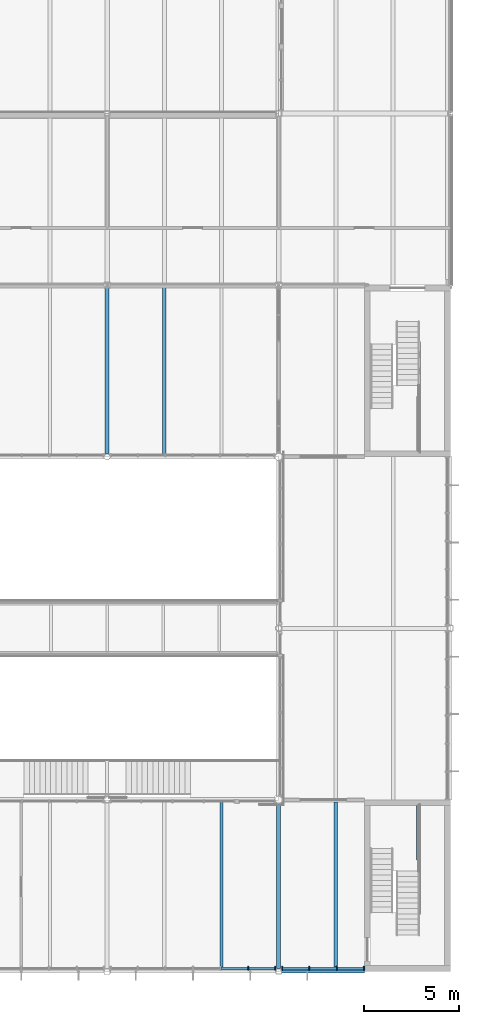
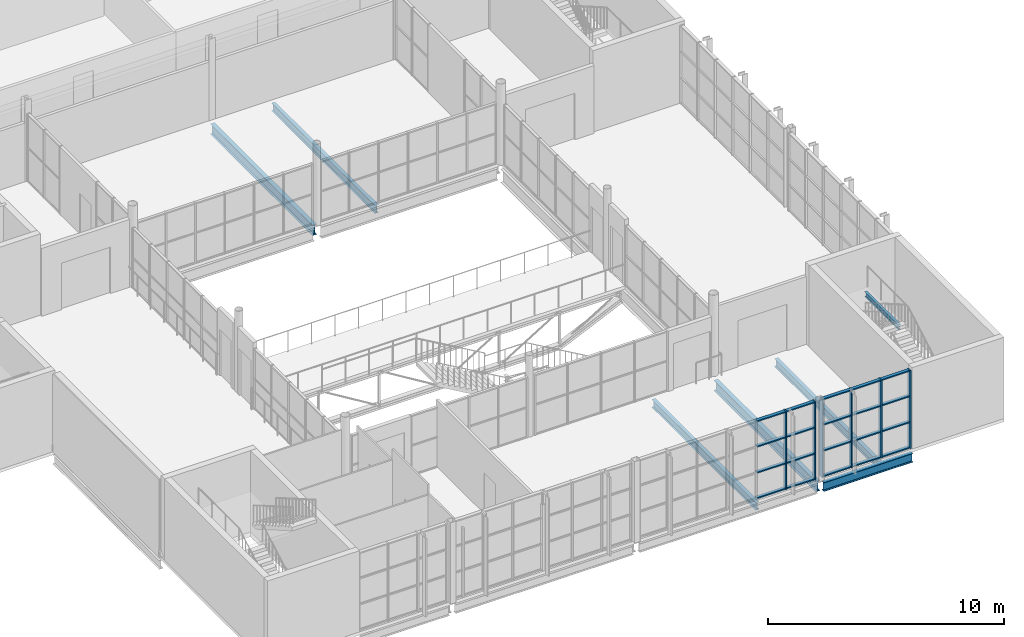
# One storey, part 24 of 61: 26 members, 7 beams, 2 elements without a shape of their own.
"""IFC4 building model written with IfcOpenShell, lengths in metres."""

from ifc_helpers import new_model, si_unit, direction, frame, origin, origin_2d, place, context, subcontext, project, spatial, rectangle, i_section, extrude, material, layer, layer_set, material_profile, profile_set, type_object, element, aggregate, save


model = new_model("IFC4")

# Units and contexts
model_context = context("Model", 3, precision=1e-05, world=origin(), true_north=direction((0.0, 1.0)))
body_context = subcontext(model_context, "Body", "Model", "MODEL_VIEW")
ifc_project = project(units=[si_unit("LENGTHUNIT", "METRE"), si_unit("AREAUNIT", "SQUARE_METRE"), si_unit("VOLUMEUNIT", "CUBIC_METRE"), si_unit("PLANEANGLEUNIT", "RADIAN"), si_unit("MASSUNIT", "GRAM", prefix="KILO")], contexts=[model_context])

# Site, building, storey
site_placement = place(None, origin())
site = spatial("IfcSite", under=ifc_project, at=site_placement, CompositionType="ELEMENT")
building_placement = place(site_placement, origin())
building = spatial("IfcBuilding", under=site, at=building_placement, Name="Halyard Row Museum", CompositionType="ELEMENT")
storey_placement = place(building_placement, frame((0.0, 0.0, 9.199951171875)))
storey = spatial("IfcBuildingStorey", under=building, at=storey_placement, Name="L02", CompositionType="ELEMENT", Elevation=9.199951171875)

# Curtain wall, members
ifc_material_1 = material(Name="Double glazed unit, low-emissivity", Category="glass")
ifc_layer = layer(ifc_material_1, 0.219970703125)
ifc_layer_set = layer_set([ifc_layer], Name="Double glazed unit, low-emissivity")
curtain_wall_type = type_object("IfcCurtainWallType", Name="Curtain wall unitised 220 deep", PredefinedType="NOTDEFINED", material=ifc_layer_set)
curtain_wall_1_placement = place(storey_placement, origin())
curtain_wall_1 = element("IfcCurtainWall", 1, at=curtain_wall_1_placement, inside=storey, type_object=curtain_wall_type, Name="Curtain wall CW039", PredefinedType="NOTDEFINED")
ifc_material_2 = material(Name="Powder-coated aluminium section", Category="aluminium")
ifc_material_profile_1 = material_profile(ifc_material_2, rectangle(XDim=0.219970703125, YDim=0.06005859375, at=origin_2d()), Name="220x60 mullion")
ifc_profile_set_1 = profile_set([ifc_material_profile_1], Name="Powder-coated aluminium section")
member_type_1 = type_object("IfcMemberType", Name="Curtain wall mullion CM3 60 x 220", PredefinedType="MULLION", material=ifc_profile_set_1)
member_1_placement = place(storey_placement, frame((97.39990234375, 0.159912109375, 0.0), z_axis=(0.0, 0.0, 1.0), x_axis=(0.0, 1.0, 0.0)))
member_1 = element("IfcMember", 2, at=member_1_placement, type_object=member_type_1, Name="CW039 mullion 6", PredefinedType="MULLION", context=body_context, shape_type="SweptSolid", body=[
    extrude(rectangle(XDim=0.219970703125, YDim=0.06005859375, at=origin_2d()), origin(), (0.0, 0.0, 1.0), 4.03515625),
])
member_2_placement = place(storey_placement, frame((98.820068359375, 0.159912109375, 0.0), z_axis=(0.0, 0.0, 1.0), x_axis=(0.0, 1.0, 0.0)))
member_2 = element("IfcMember", 3, at=member_2_placement, type_object=member_type_1, Name="CW039 mullion 7", PredefinedType="MULLION", context=body_context, shape_type="SweptSolid", body=[
    extrude(rectangle(XDim=0.219970703125, YDim=0.06005859375, at=origin_2d()), origin(), (0.0, 0.0, 1.0), 4.03515625),
])

curtain_wall_2_placement = place(storey_placement, origin())
curtain_wall_2 = element("IfcCurtainWall", 4, at=curtain_wall_2_placement, inside=storey, type_object=curtain_wall_type, Name="Curtain wall CW040", PredefinedType="NOTDEFINED")
member_3_placement = place(storey_placement, frame((99.179931640625, 0.159912109375, 0.0), z_axis=(0.0, 0.0, 1.0), x_axis=(0.0, 1.0, 0.0)))
member_3 = element("IfcMember", 5, at=member_3_placement, type_object=member_type_1, Name="CW040 mullion 1", PredefinedType="MULLION", context=body_context, shape_type="SweptSolid", body=[
    extrude(rectangle(XDim=0.219970703125, YDim=0.06005859375, at=origin_2d()), origin(), (0.0, 0.0, 1.0), 4.03515625),
])
member_4_placement = place(storey_placement, frame((100.60009765625, 0.159912109375, 0.0), z_axis=(0.0, 0.0, 1.0), x_axis=(0.0, 1.0, 0.0)))
member_4 = element("IfcMember", 6, at=member_4_placement, type_object=member_type_1, Name="CW040 mullion 2", PredefinedType="MULLION", context=body_context, shape_type="SweptSolid", body=[
    extrude(rectangle(XDim=0.219970703125, YDim=0.06005859375, at=origin_2d()), origin(), (0.0, 0.0, 1.0), 4.03515625),
])
member_5_placement = place(storey_placement, frame((102.050048828125, 0.159912109375, 0.0), z_axis=(0.0, 0.0, 1.0), x_axis=(0.0, 1.0, 0.0)))
member_5 = element("IfcMember", 7, at=member_5_placement, type_object=member_type_1, Name="CW040 mullion 3", PredefinedType="MULLION", context=body_context, shape_type="SweptSolid", body=[
    extrude(rectangle(XDim=0.219970703125, YDim=0.06005859375, at=origin_2d()), origin(), (0.0, 0.0, 1.0), 4.03515625),
])
member_6_placement = place(storey_placement, frame((103.469970703125, 0.159912109375, 0.0), z_axis=(0.0, 0.0, 1.0), x_axis=(0.0, 1.0, 0.0)))
member_6 = element("IfcMember", 8, at=member_6_placement, type_object=member_type_1, Name="CW040 mullion 4", PredefinedType="MULLION", context=body_context, shape_type="SweptSolid", body=[
    extrude(rectangle(XDim=0.219970703125, YDim=0.06005859375, at=origin_2d()), origin(), (0.0, 0.0, 1.0), 4.03515625),
])

# Member
ifc_material_3 = material(Name="Powder-coated aluminium section", Category="aluminium")
ifc_material_profile_2 = material_profile(ifc_material_3, rectangle(XDim=0.159912109375, YDim=0.06005859375, at=origin_2d()), Name="160x60 transom")
ifc_profile_set_2 = profile_set([ifc_material_profile_2], Name="Powder-coated aluminium section")
member_type_2 = type_object("IfcMemberType", Name="Curtain wall transom CT3 60 x 160", PredefinedType="USERDEFINED", material=ifc_profile_set_2)
member_7_placement = place(storey_placement, frame((95.97998046875, 0.159912109375, 0.030029296875), z_axis=(1.0, 0.0, 0.0), x_axis=(0.0, 1.0, 0.0)))
member_7 = element("IfcMember", 9, at=member_7_placement, type_object=member_type_2, Name="CW039 transom 5.1", ObjectType="TRANSOM", PredefinedType="USERDEFINED", context=body_context, shape_type="SweptSolid", body=[
    extrude(rectangle(XDim=0.159912109375, YDim=0.06005859375, at=origin_2d()), origin(), (0.0, 0.0, 1.0), 1.39013671875),
])

member_8_placement = place(storey_placement, frame((95.97998046875, 0.159912109375, 1.344970703125), z_axis=(1.0, 0.0, 0.0), x_axis=(0.0, 1.0, 0.0)))
member_8 = element("IfcMember", 10, at=member_8_placement, type_object=member_type_2, Name="CW039 transom 5.2", ObjectType="TRANSOM", PredefinedType="USERDEFINED", context=body_context, shape_type="SweptSolid", body=[
    extrude(rectangle(XDim=0.159912109375, YDim=0.06005859375, at=origin_2d()), origin(), (0.0, 0.0, 1.0), 1.39013671875),
])

member_9_placement = place(storey_placement, frame((95.97998046875, 0.159912109375, 2.68994140625), z_axis=(1.0, 0.0, 0.0), x_axis=(0.0, 1.0, 0.0)))
member_9 = element("IfcMember", 11, at=member_9_placement, type_object=member_type_2, Name="CW039 transom 5.3", ObjectType="TRANSOM", PredefinedType="USERDEFINED", context=body_context, shape_type="SweptSolid", body=[
    extrude(rectangle(XDim=0.159912109375, YDim=0.06005859375, at=origin_2d()), origin(), (0.0, 0.0, 1.0), 1.39013671875),
])

member_10_placement = place(storey_placement, frame((95.97998046875, 0.159912109375, 4.005126953125), z_axis=(1.0, 0.0, 0.0), x_axis=(0.0, 1.0, 0.0)))
member_10 = element("IfcMember", 12, at=member_10_placement, type_object=member_type_2, Name="CW039 transom 5.4", ObjectType="TRANSOM", PredefinedType="USERDEFINED", context=body_context, shape_type="SweptSolid", body=[
    extrude(rectangle(XDim=0.159912109375, YDim=0.06005859375, at=origin_2d()), origin(), (0.0, 0.0, 1.0), 1.39013671875),
])

member_11_placement = place(storey_placement, frame((97.429931640625, 0.159912109375, 0.030029296875), z_axis=(1.0, 0.0, 0.0), x_axis=(0.0, 1.0, 0.0)))
member_11 = element("IfcMember", 13, at=member_11_placement, type_object=member_type_2, Name="CW039 transom 6.1", ObjectType="TRANSOM", PredefinedType="USERDEFINED", context=body_context, shape_type="SweptSolid", body=[
    extrude(rectangle(XDim=0.159912109375, YDim=0.06005859375, at=origin_2d()), origin(), (0.0, 0.0, 1.0), 1.360107421875),
])

member_12_placement = place(storey_placement, frame((97.429931640625, 0.159912109375, 1.344970703125), z_axis=(1.0, 0.0, 0.0), x_axis=(0.0, 1.0, 0.0)))
member_12 = element("IfcMember", 14, at=member_12_placement, type_object=member_type_2, Name="CW039 transom 6.2", ObjectType="TRANSOM", PredefinedType="USERDEFINED", context=body_context, shape_type="SweptSolid", body=[
    extrude(rectangle(XDim=0.159912109375, YDim=0.06005859375, at=origin_2d()), origin(), (0.0, 0.0, 1.0), 1.360107421875),
])

member_13_placement = place(storey_placement, frame((97.429931640625, 0.159912109375, 2.68994140625), z_axis=(1.0, 0.0, 0.0), x_axis=(0.0, 1.0, 0.0)))
member_13 = element("IfcMember", 15, at=member_13_placement, type_object=member_type_2, Name="CW039 transom 6.3", ObjectType="TRANSOM", PredefinedType="USERDEFINED", context=body_context, shape_type="SweptSolid", body=[
    extrude(rectangle(XDim=0.159912109375, YDim=0.06005859375, at=origin_2d()), origin(), (0.0, 0.0, 1.0), 1.360107421875),
])

member_14_placement = place(storey_placement, frame((97.429931640625, 0.159912109375, 4.005126953125), z_axis=(1.0, 0.0, 0.0), x_axis=(0.0, 1.0, 0.0)))
member_14 = element("IfcMember", 16, at=member_14_placement, type_object=member_type_2, Name="CW039 transom 6.4", ObjectType="TRANSOM", PredefinedType="USERDEFINED", context=body_context, shape_type="SweptSolid", body=[
    extrude(rectangle(XDim=0.159912109375, YDim=0.06005859375, at=origin_2d()), origin(), (0.0, 0.0, 1.0), 1.360107421875),
])

aggregate(curtain_wall_1, [member_1, member_2, member_7, member_8, member_9, member_10, member_11, member_12, member_13, member_14])

member_15_placement = place(storey_placement, frame((99.2099609375, 0.159912109375, 0.030029296875), z_axis=(1.0, 0.0, 0.0), x_axis=(0.0, 1.0, 0.0)))
member_15 = element("IfcMember", 17, at=member_15_placement, type_object=member_type_2, Name="CW040 transom 1.1", ObjectType="TRANSOM", PredefinedType="USERDEFINED", context=body_context, shape_type="SweptSolid", body=[
    extrude(rectangle(XDim=0.159912109375, YDim=0.06005859375, at=origin_2d()), origin(), (0.0, 0.0, 1.0), 1.360107421875),
])

member_16_placement = place(storey_placement, frame((99.2099609375, 0.159912109375, 1.344970703125), z_axis=(1.0, 0.0, 0.0), x_axis=(0.0, 1.0, 0.0)))
member_16 = element("IfcMember", 18, at=member_16_placement, type_object=member_type_2, Name="CW040 transom 1.2", ObjectType="TRANSOM", PredefinedType="USERDEFINED", context=body_context, shape_type="SweptSolid", body=[
    extrude(rectangle(XDim=0.159912109375, YDim=0.06005859375, at=origin_2d()), origin(), (0.0, 0.0, 1.0), 1.360107421875),
])

member_17_placement = place(storey_placement, frame((99.2099609375, 0.159912109375, 2.68994140625), z_axis=(1.0, 0.0, 0.0), x_axis=(0.0, 1.0, 0.0)))
member_17 = element("IfcMember", 19, at=member_17_placement, type_object=member_type_2, Name="CW040 transom 1.3", ObjectType="TRANSOM", PredefinedType="USERDEFINED", context=body_context, shape_type="SweptSolid", body=[
    extrude(rectangle(XDim=0.159912109375, YDim=0.06005859375, at=origin_2d()), origin(), (0.0, 0.0, 1.0), 1.360107421875),
])

member_18_placement = place(storey_placement, frame((99.2099609375, 0.159912109375, 4.005126953125), z_axis=(1.0, 0.0, 0.0), x_axis=(0.0, 1.0, 0.0)))
member_18 = element("IfcMember", 20, at=member_18_placement, type_object=member_type_2, Name="CW040 transom 1.4", ObjectType="TRANSOM", PredefinedType="USERDEFINED", context=body_context, shape_type="SweptSolid", body=[
    extrude(rectangle(XDim=0.159912109375, YDim=0.06005859375, at=origin_2d()), origin(), (0.0, 0.0, 1.0), 1.360107421875),
])

member_19_placement = place(storey_placement, frame((100.6298828125, 0.159912109375, 0.030029296875), z_axis=(1.0, 0.0, 0.0), x_axis=(0.0, 1.0, 0.0)))
member_19 = element("IfcMember", 21, at=member_19_placement, type_object=member_type_2, Name="CW040 transom 2.1", ObjectType="TRANSOM", PredefinedType="USERDEFINED", context=body_context, shape_type="SweptSolid", body=[
    extrude(rectangle(XDim=0.159912109375, YDim=0.06005859375, at=origin_2d()), origin(), (0.0, 0.0, 1.0), 1.39013671875),
])

member_20_placement = place(storey_placement, frame((100.6298828125, 0.159912109375, 1.344970703125), z_axis=(1.0, 0.0, 0.0), x_axis=(0.0, 1.0, 0.0)))
member_20 = element("IfcMember", 22, at=member_20_placement, type_object=member_type_2, Name="CW040 transom 2.2", ObjectType="TRANSOM", PredefinedType="USERDEFINED", context=body_context, shape_type="SweptSolid", body=[
    extrude(rectangle(XDim=0.159912109375, YDim=0.06005859375, at=origin_2d()), origin(), (0.0, 0.0, 1.0), 1.39013671875),
])

member_21_placement = place(storey_placement, frame((100.6298828125, 0.159912109375, 2.68994140625), z_axis=(1.0, 0.0, 0.0), x_axis=(0.0, 1.0, 0.0)))
member_21 = element("IfcMember", 23, at=member_21_placement, type_object=member_type_2, Name="CW040 transom 2.3", ObjectType="TRANSOM", PredefinedType="USERDEFINED", context=body_context, shape_type="SweptSolid", body=[
    extrude(rectangle(XDim=0.159912109375, YDim=0.06005859375, at=origin_2d()), origin(), (0.0, 0.0, 1.0), 1.39013671875),
])

member_22_placement = place(storey_placement, frame((100.6298828125, 0.159912109375, 4.005126953125), z_axis=(1.0, 0.0, 0.0), x_axis=(0.0, 1.0, 0.0)))
member_22 = element("IfcMember", 24, at=member_22_placement, type_object=member_type_2, Name="CW040 transom 2.4", ObjectType="TRANSOM", PredefinedType="USERDEFINED", context=body_context, shape_type="SweptSolid", body=[
    extrude(rectangle(XDim=0.159912109375, YDim=0.06005859375, at=origin_2d()), origin(), (0.0, 0.0, 1.0), 1.39013671875),
])

member_23_placement = place(storey_placement, frame((102.080078125, 0.159912109375, 0.030029296875), z_axis=(1.0, 0.0, 0.0), x_axis=(0.0, 1.0, 0.0)))
member_23 = element("IfcMember", 25, at=member_23_placement, type_object=member_type_2, Name="CW040 transom 3.1", ObjectType="TRANSOM", PredefinedType="USERDEFINED", context=body_context, shape_type="SweptSolid", body=[
    extrude(rectangle(XDim=0.159912109375, YDim=0.06005859375, at=origin_2d()), origin(), (0.0, 0.0, 1.0), 1.35986328125),
])

member_24_placement = place(storey_placement, frame((102.080078125, 0.159912109375, 1.344970703125), z_axis=(1.0, 0.0, 0.0), x_axis=(0.0, 1.0, 0.0)))
member_24 = element("IfcMember", 26, at=member_24_placement, type_object=member_type_2, Name="CW040 transom 3.2", ObjectType="TRANSOM", PredefinedType="USERDEFINED", context=body_context, shape_type="SweptSolid", body=[
    extrude(rectangle(XDim=0.159912109375, YDim=0.06005859375, at=origin_2d()), origin(), (0.0, 0.0, 1.0), 1.35986328125),
])

member_25_placement = place(storey_placement, frame((102.080078125, 0.159912109375, 2.68994140625), z_axis=(1.0, 0.0, 0.0), x_axis=(0.0, 1.0, 0.0)))
member_25 = element("IfcMember", 27, at=member_25_placement, type_object=member_type_2, Name="CW040 transom 3.3", ObjectType="TRANSOM", PredefinedType="USERDEFINED", context=body_context, shape_type="SweptSolid", body=[
    extrude(rectangle(XDim=0.159912109375, YDim=0.06005859375, at=origin_2d()), origin(), (0.0, 0.0, 1.0), 1.35986328125),
])

member_26_placement = place(storey_placement, frame((102.080078125, 0.159912109375, 4.005126953125), z_axis=(1.0, 0.0, 0.0), x_axis=(0.0, 1.0, 0.0)))
member_26 = element("IfcMember", 28, at=member_26_placement, type_object=member_type_2, Name="CW040 transom 3.4", ObjectType="TRANSOM", PredefinedType="USERDEFINED", context=body_context, shape_type="SweptSolid", body=[
    extrude(rectangle(XDim=0.159912109375, YDim=0.06005859375, at=origin_2d()), origin(), (0.0, 0.0, 1.0), 1.35986328125),
])

aggregate(curtain_wall_2, [member_3, member_4, member_5, member_6, member_15, member_16, member_17, member_18, member_19, member_20, member_21, member_22, member_23, member_24, member_25, member_26])

# Beams
ifc_material_4 = material(Name="Steel Grade 300", Category="steel")
ifc_material_profile_3 = material_profile(ifc_material_4, i_section(OverallWidth=0.18994140625, OverallDepth=0.45751953125, WebThickness=0.009033203125, FlangeThickness=0.014404296875, FilletRadius=0.011474609375, at=origin_2d()), Name="460UB74.6")
ifc_profile_set_3 = profile_set([ifc_material_profile_3], Name="Steel Grade 300")
beam_type_1 = type_object("IfcBeamType", Name="Edge beam 460UB74.6", PredefinedType="BEAM", material=ifc_profile_set_3)
beam_1_placement = place(storey_placement, frame((99.14990234375, 0.0, -0.3935546875), z_axis=(1.0, 0.0, 0.0), x_axis=(0.0, 1.0, 0.0)))
element("IfcBeam", 29, at=beam_1_placement, inside=storey, type_object=beam_type_1, Name="Beam L02-005", PredefinedType="BEAM", context=body_context, shape_type="SweptSolid", body=[
    extrude(i_section(OverallWidth=0.18994140625, OverallDepth=0.45751953125, WebThickness=0.009033203125, FlangeThickness=0.014404296875, FilletRadius=0.011474609375, at=origin_2d()), origin(), (0.0, 0.0, 1.0), 4.35009765625),
])
ifc_material_5 = material(Name="Steel Grade 300", Category="steel")
ifc_material_profile_4 = material_profile(ifc_material_5, i_section(OverallWidth=0.208984375, OverallDepth=0.532958984375, WebThickness=0.01025390625, FlangeThickness=0.015625, FilletRadius=0.013916015625, at=origin_2d()), Name="530UB92.4")
ifc_profile_set_4 = profile_set([ifc_material_profile_4], Name="Steel Grade 300")
beam_type_2 = type_object("IfcBeamType", Name="Girder beam 530UB92.4", PredefinedType="BEAM", material=ifc_profile_set_4)
beam_2_placement = place(storey_placement, frame((90.0, 27.177734375, -0.431396484375), z_axis=(0.0, 1.0, 0.0), x_axis=(-1.0, 0.0, 0.0)))
element("IfcBeam", 30, at=beam_2_placement, inside=storey, type_object=beam_type_2, Name="Beam L02-073", PredefinedType="BEAM", context=body_context, shape_type="SweptSolid", body=[
    extrude(i_section(OverallWidth=0.208984375, OverallDepth=0.532958984375, WebThickness=0.01025390625, FlangeThickness=0.015625, FilletRadius=0.013916015625, at=origin_2d()), origin(), (0.0, 0.0, 1.0), 8.661865234375),
])
beam_3_placement = place(storey_placement, frame((99.0, 0.14990234375, -0.431396484375), z_axis=(0.0, 1.0, 0.0), x_axis=(-1.0, 0.0, 0.0)))
element("IfcBeam", 31, at=beam_3_placement, inside=storey, type_object=beam_type_2, Name="Beam L02-077", PredefinedType="BEAM", context=body_context, shape_type="SweptSolid", body=[
    extrude(i_section(OverallWidth=0.208984375, OverallDepth=0.532958984375, WebThickness=0.01025390625, FlangeThickness=0.015625, FilletRadius=0.013916015625, at=origin_2d()), origin(), (0.0, 0.0, 1.0), 8.64697265625),
])
ifc_material_6 = material(Name="Steel Grade 300", Category="steel")
ifc_material_profile_5 = material_profile(ifc_material_6, i_section(OverallWidth=0.1240234375, OverallDepth=0.248046875, WebThickness=0.0048828125, FlangeThickness=0.008056640625, FilletRadius=0.011962890625, at=origin_2d()), Name="250UB25.7")
ifc_profile_set_5 = profile_set([ifc_material_profile_5], Name="Steel Grade 300")
beam_type_3 = type_object("IfcBeamType", Name="Landing trimmer 250UB25.7", PredefinedType="BEAM", material=ifc_profile_set_5)
beam_4_placement = place(storey_placement, frame((106.278076171875, 8.702880859375, 1.776123046875), z_axis=(0.0, -1.0, 0.0), x_axis=(1.0, 0.0, 0.0)))
element("IfcBeam", 32, at=beam_4_placement, inside=storey, type_object=beam_type_3, Name="Landing ledger K2B L02 1", PredefinedType="BEAM", context=body_context, shape_type="SweptSolid", body=[
    extrude(i_section(OverallWidth=0.1240234375, OverallDepth=0.248046875, WebThickness=0.0048828125, FlangeThickness=0.008056640625, FilletRadius=0.011962890625, at=origin_2d()), origin(), (0.0, 0.0, 1.0), 2.852783203125),
])
ifc_material_7 = material(Name="Steel Grade 300", Category="steel")
ifc_material_profile_6 = material_profile(ifc_material_7, i_section(OverallWidth=0.177978515625, OverallDepth=0.406494140625, WebThickness=0.0078125, FlangeThickness=0.0126953125, FilletRadius=0.011474609375, at=origin_2d()), Name="410UB59.7")
ifc_profile_set_6 = profile_set([ifc_material_profile_6], Name="Steel Grade 300")
beam_type_4 = type_object("IfcBeamType", Name="Secondary beam 410UB59.7", PredefinedType="BEAM", material=ifc_profile_set_6)
beam_5_placement = place(storey_placement, frame((96.0, 0.094970703125, -0.3681640625), z_axis=(0.0, 1.0, 0.0), x_axis=(-1.0, 0.0, 0.0)))
element("IfcBeam", 33, at=beam_5_placement, inside=storey, type_object=beam_type_4, Name="Beam L02-091", PredefinedType="BEAM", context=body_context, shape_type="SweptSolid", body=[
    extrude(i_section(OverallWidth=0.177978515625, OverallDepth=0.406494140625, WebThickness=0.0078125, FlangeThickness=0.0126953125, FilletRadius=0.011474609375, at=origin_2d()), origin(), (0.0, 0.0, 1.0), 8.791015625),
])
beam_6_placement = place(storey_placement, frame((102.0, 0.094970703125, -0.3681640625), z_axis=(0.0, 1.0, 0.0), x_axis=(-1.0, 0.0, 0.0)))
element("IfcBeam", 34, at=beam_6_placement, inside=storey, type_object=beam_type_4, Name="Beam L02-092", PredefinedType="BEAM", context=body_context, shape_type="SweptSolid", body=[
    extrude(i_section(OverallWidth=0.177978515625, OverallDepth=0.406494140625, WebThickness=0.0078125, FlangeThickness=0.0126953125, FilletRadius=0.011474609375, at=origin_2d()), origin(), (0.0, 0.0, 1.0), 8.800537109375),
])
beam_7_placement = place(storey_placement, frame((93.0, 27.114013671875, -0.3681640625), z_axis=(0.0, 1.0, 0.0), x_axis=(-1.0, 0.0, 0.0)))
element("IfcBeam", 35, at=beam_7_placement, inside=storey, type_object=beam_type_4, Name="Beam L02-131", PredefinedType="BEAM", context=body_context, shape_type="SweptSolid", body=[
    extrude(i_section(OverallWidth=0.177978515625, OverallDepth=0.406494140625, WebThickness=0.0078125, FlangeThickness=0.0126953125, FilletRadius=0.011474609375, at=origin_2d()), origin(), (0.0, 0.0, 1.0), 8.760986328125),
])

save(model, "model.ifc")
